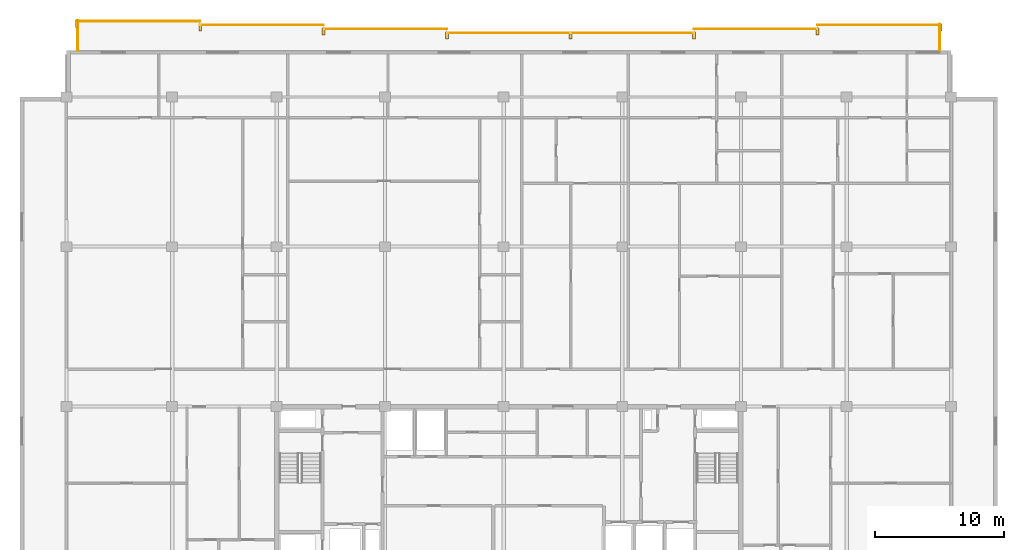
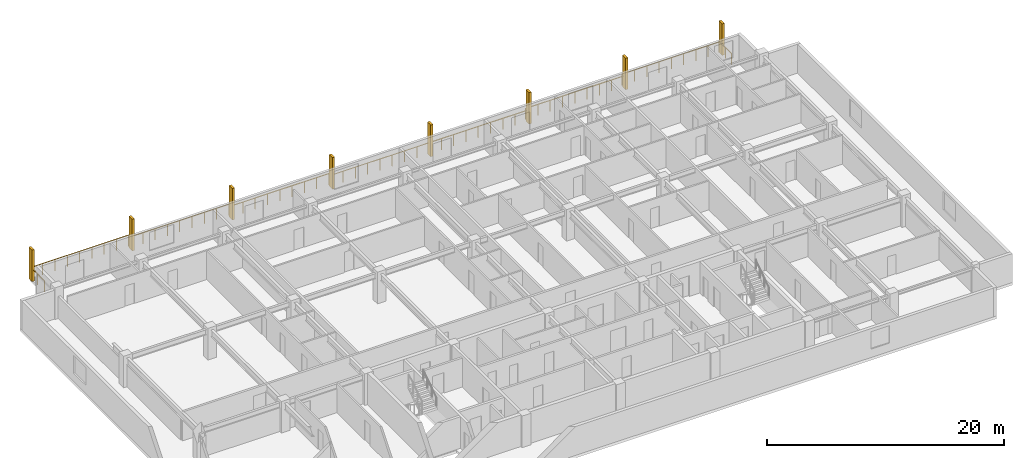
# One storey, part 21 of 21: 8 railings, 8 shading devices.
"""IFC4 building model written with IfcOpenShell, lengths in metres."""

from ifc_helpers import new_model, si_unit, direction, frame, origin, origin_2d, place, context, subcontext, project, spatial, rectangle, circle, extrude, material, type_object, element, save


model = new_model("IFC4")

# Units and contexts
model_context = context("Model", 3, precision=1e-05, world=origin(), true_north=direction((0.0, 1.0)))
body_context = subcontext(model_context, "Body", "Model", "MODEL_VIEW")
ifc_project = project(units=[si_unit("LENGTHUNIT", "METRE"), si_unit("AREAUNIT", "SQUARE_METRE"), si_unit("VOLUMEUNIT", "CUBIC_METRE"), si_unit("PLANEANGLEUNIT", "RADIAN"), si_unit("MASSUNIT", "GRAM", prefix="KILO")], contexts=[model_context])

# Site, building, storey
site_placement = place(None, origin())
site = spatial("IfcSite", under=ifc_project, at=site_placement, CompositionType="ELEMENT")
building_placement = place(site_placement, origin())
building = spatial("IfcBuilding", under=site, at=building_placement, Name="Korimba Cascade Residences", CompositionType="ELEMENT")
storey_placement = place(building_placement, frame((0.0, 0.0, 184.85009765625)))
storey = spatial("IfcBuildingStorey", under=building, at=storey_placement, Name="L53", CompositionType="ELEMENT", Elevation=184.85009765625)

# Railings
ifc_material_1 = material(Name="Laminated Glass and Bronze Balustrade", Category="glass")
railing_type = type_object("IfcRailingType", Name="RLG-LOG-1150", PredefinedType="BALUSTRADE", material=ifc_material_1)
railing_1_placement = place(storey_placement, frame((127.52001953125, 94.800048828125, 0.0)))
element("IfcRailing", 1, at=railing_1_placement, inside=storey, type_object=railing_type, Name="L53 Perimeter Guardrail RLG-L53-T1-LOG-01", PredefinedType="BALUSTRADE", context=body_context, shape_type="SweptSolid", body=[
    extrude(circle(Radius=0.02392578125, at=origin_2d()), frame((0.0, 0.0, 1.1259765625), z_axis=(0.0, 1.0, 0.0), x_axis=(-1.0, 0.0, 0.0)), (0.0, 0.0, 1.0), 2.050048828125),
    extrude(circle(Radius=0.02099609375, at=origin_2d()), origin(), (0.0, 0.0, 1.0), 1.101806640625),
    extrude(circle(Radius=0.02099609375, at=origin_2d()), frame((0.0, 1.02490234375, 0.0)), (0.0, 0.0, 1.0), 1.101806640625),
    extrude(circle(Radius=0.02099609375, at=origin_2d()), frame((0.0, 2.050048828125, 0.0)), (0.0, 0.0, 1.0), 1.101806640625),
])
for number, where, name in (
    (2, (127.60009765625, 96.77001953125, 0.0), "L53 Perimeter Guardrail RLG-L53-T1-LOG-02"),
    (3, (118.028564453125, 96.469970703125, 0.0), "L53 Perimeter Guardrail RLG-L53-T1-LOG-03"),
):
    element("IfcRailing", number, at=place(storey_placement, frame(where)), inside=storey, type_object=railing_type, Name=name, PredefinedType="BALUSTRADE", context=body_context, shape_type="SweptSolid", body=[
        extrude(circle(Radius=0.02392578125, at=origin_2d()), frame((0.0, 0.0, 1.1259765625), z_axis=(-1.0, 0.0, 0.0), x_axis=(0.0, -1.0, 0.0)), (0.0, 0.0, 1.0), 9.571533203125),
        extrude(circle(Radius=0.02099609375, at=origin_2d()), origin(), (0.0, 0.0, 1.0), 1.101806640625),
        extrude(circle(Radius=0.02099609375, at=origin_2d()), frame((-1.196533203125, 0.0, 0.0)), (0.0, 0.0, 1.0), 1.101806640625),
        extrude(circle(Radius=0.02099609375, at=origin_2d()), frame((-2.392822265625, 0.0, 0.0)), (0.0, 0.0, 1.0), 1.101806640625),
        extrude(circle(Radius=0.02099609375, at=origin_2d()), frame((-3.58935546875, 0.0, 0.0)), (0.0, 0.0, 1.0), 1.101806640625),
        extrude(circle(Radius=0.02099609375, at=origin_2d()), frame((-4.78564453125, 0.0, 0.0)), (0.0, 0.0, 1.0), 1.101806640625),
        extrude(circle(Radius=0.02099609375, at=origin_2d()), frame((-5.982177734375, 0.0, 0.0)), (0.0, 0.0, 1.0), 1.101806640625),
        extrude(circle(Radius=0.02099609375, at=origin_2d()), frame((-7.1787109375, 0.0, 0.0)), (0.0, 0.0, 1.0), 1.101806640625),
        extrude(circle(Radius=0.02099609375, at=origin_2d()), frame((-8.375, 0.0, 0.0)), (0.0, 0.0, 1.0), 1.101806640625),
        extrude(circle(Radius=0.02099609375, at=origin_2d()), frame((-9.571533203125, 0.0, 0.0)), (0.0, 0.0, 1.0), 1.101806640625),
    ])
railing_2_placement = place(storey_placement, frame((108.45703125, 96.169921875, 0.0)))
element("IfcRailing", 4, at=railing_2_placement, inside=storey, type_object=railing_type, Name="L53 Perimeter Guardrail RLG-L53-T1-LOG-04", PredefinedType="BALUSTRADE", context=body_context, shape_type="SweptSolid", body=[
    extrude(circle(Radius=0.02392578125, at=origin_2d()), frame((0.0, 0.0, 1.1259765625), z_axis=(-1.0, 0.0, 0.0), x_axis=(0.0, -1.0, 0.0)), (0.0, 0.0, 1.0), 19.142822265625),
    extrude(circle(Radius=0.02099609375, at=origin_2d()), origin(), (0.0, 0.0, 1.0), 1.101806640625),
    extrude(circle(Radius=0.02099609375, at=origin_2d()), frame((-1.196533203125, 0.0, 0.0)), (0.0, 0.0, 1.0), 1.101806640625),
    extrude(circle(Radius=0.02099609375, at=origin_2d()), frame((-2.392822265625, 0.0, 0.0)), (0.0, 0.0, 1.0), 1.101806640625),
    extrude(circle(Radius=0.02099609375, at=origin_2d()), frame((-3.58935546875, 0.0, 0.0)), (0.0, 0.0, 1.0), 1.101806640625),
    extrude(circle(Radius=0.02099609375, at=origin_2d()), frame((-4.78564453125, 0.0, 0.0)), (0.0, 0.0, 1.0), 1.101806640625),
    extrude(circle(Radius=0.02099609375, at=origin_2d()), frame((-5.982177734375, 0.0, 0.0)), (0.0, 0.0, 1.0), 1.101806640625),
    extrude(circle(Radius=0.02099609375, at=origin_2d()), frame((-7.178466796875, 0.0, 0.0)), (0.0, 0.0, 1.0), 1.101806640625),
    extrude(circle(Radius=0.02099609375, at=origin_2d()), frame((-8.375, 0.0, 0.0)), (0.0, 0.0, 1.0), 1.101806640625),
    extrude(circle(Radius=0.02099609375, at=origin_2d()), frame((-9.5712890625, 0.0, 0.0)), (0.0, 0.0, 1.0), 1.101806640625),
    extrude(circle(Radius=0.02099609375, at=origin_2d()), frame((-10.767822265625, 0.0, 0.0)), (0.0, 0.0, 1.0), 1.101806640625),
    extrude(circle(Radius=0.02099609375, at=origin_2d()), frame((-11.96435546875, 0.0, 0.0)), (0.0, 0.0, 1.0), 1.101806640625),
    extrude(circle(Radius=0.02099609375, at=origin_2d()), frame((-13.16064453125, 0.0, 0.0)), (0.0, 0.0, 1.0), 1.101806640625),
    extrude(circle(Radius=0.02099609375, at=origin_2d()), frame((-14.357177734375, 0.0, 0.0)), (0.0, 0.0, 1.0), 1.101806640625),
    extrude(circle(Radius=0.02099609375, at=origin_2d()), frame((-15.553466796875, 0.0, 0.0)), (0.0, 0.0, 1.0), 1.101806640625),
    extrude(circle(Radius=0.02099609375, at=origin_2d()), frame((-16.75, 0.0, 0.0)), (0.0, 0.0, 1.0), 1.101806640625),
    extrude(circle(Radius=0.02099609375, at=origin_2d()), frame((-17.9462890625, 0.0, 0.0)), (0.0, 0.0, 1.0), 1.101806640625),
    extrude(circle(Radius=0.02099609375, at=origin_2d()), frame((-19.142822265625, 0.0, 0.0)), (0.0, 0.0, 1.0), 1.101806640625),
])
railing_3_placement = place(storey_placement, frame((89.314208984375, 96.469970703125, 0.0)))
element("IfcRailing", 5, at=railing_3_placement, inside=storey, type_object=railing_type, Name="L53 Perimeter Guardrail RLG-L53-T1-LOG-05", PredefinedType="BALUSTRADE", context=body_context, shape_type="SweptSolid", body=[
    extrude(circle(Radius=0.02392578125, at=origin_2d()), frame((0.0, 0.0, 1.1259765625), z_axis=(-1.0, 0.0, 0.0), x_axis=(0.0, -1.0, 0.0)), (0.0, 0.0, 1.0), 9.5712890625),
    extrude(circle(Radius=0.02099609375, at=origin_2d()), origin(), (0.0, 0.0, 1.0), 1.101806640625),
    extrude(circle(Radius=0.02099609375, at=origin_2d()), frame((-1.1962890625, 0.0, 0.0)), (0.0, 0.0, 1.0), 1.101806640625),
    extrude(circle(Radius=0.02099609375, at=origin_2d()), frame((-2.392822265625, 0.0, 0.0)), (0.0, 0.0, 1.0), 1.101806640625),
    extrude(circle(Radius=0.02099609375, at=origin_2d()), frame((-3.58935546875, 0.0, 0.0)), (0.0, 0.0, 1.0), 1.101806640625),
    extrude(circle(Radius=0.02099609375, at=origin_2d()), frame((-4.78564453125, 0.0, 0.0)), (0.0, 0.0, 1.0), 1.101806640625),
    extrude(circle(Radius=0.02099609375, at=origin_2d()), frame((-5.98193359375, 0.0, 0.0)), (0.0, 0.0, 1.0), 1.101806640625),
    extrude(circle(Radius=0.02099609375, at=origin_2d()), frame((-7.178466796875, 0.0, 0.0)), (0.0, 0.0, 1.0), 1.101806640625),
    extrude(circle(Radius=0.02099609375, at=origin_2d()), frame((-8.375, 0.0, 0.0)), (0.0, 0.0, 1.0), 1.101806640625),
    extrude(circle(Radius=0.02099609375, at=origin_2d()), frame((-9.5712890625, 0.0, 0.0)), (0.0, 0.0, 1.0), 1.101806640625),
])
railing_4_placement = place(storey_placement, frame((79.742919921875, 96.77001953125, 0.0)))
element("IfcRailing", 6, at=railing_4_placement, inside=storey, type_object=railing_type, Name="L53 Perimeter Guardrail RLG-L53-T1-LOG-06", PredefinedType="BALUSTRADE", context=body_context, shape_type="SweptSolid", body=[
    extrude(circle(Radius=0.02392578125, at=origin_2d()), frame((0.0, 0.0, 1.1259765625), z_axis=(-1.0, 0.0, 0.0), x_axis=(0.0, -1.0, 0.0)), (0.0, 0.0, 1.0), 9.571533203125),
    extrude(circle(Radius=0.02099609375, at=origin_2d()), origin(), (0.0, 0.0, 1.0), 1.101806640625),
    extrude(circle(Radius=0.02099609375, at=origin_2d()), frame((-1.196533203125, 0.0, 0.0)), (0.0, 0.0, 1.0), 1.101806640625),
    extrude(circle(Radius=0.02099609375, at=origin_2d()), frame((-2.392822265625, 0.0, 0.0)), (0.0, 0.0, 1.0), 1.101806640625),
    extrude(circle(Radius=0.02099609375, at=origin_2d()), frame((-3.58935546875, 0.0, 0.0)), (0.0, 0.0, 1.0), 1.101806640625),
    extrude(circle(Radius=0.02099609375, at=origin_2d()), frame((-4.78564453125, 0.0, 0.0)), (0.0, 0.0, 1.0), 1.101806640625),
    extrude(circle(Radius=0.02099609375, at=origin_2d()), frame((-5.982177734375, 0.0, 0.0)), (0.0, 0.0, 1.0), 1.101806640625),
    extrude(circle(Radius=0.02099609375, at=origin_2d()), frame((-7.1787109375, 0.0, 0.0)), (0.0, 0.0, 1.0), 1.101806640625),
    extrude(circle(Radius=0.02099609375, at=origin_2d()), frame((-8.375, 0.0, 0.0)), (0.0, 0.0, 1.0), 1.101806640625),
    extrude(circle(Radius=0.02099609375, at=origin_2d()), frame((-9.571533203125, 0.0, 0.0)), (0.0, 0.0, 1.0), 1.101806640625),
])
railing_5_placement = place(storey_placement, frame((70.17138671875, 97.070068359375, 0.0)))
element("IfcRailing", 7, at=railing_5_placement, inside=storey, type_object=railing_type, Name="L53 Perimeter Guardrail RLG-L53-T1-LOG-07", PredefinedType="BALUSTRADE", context=body_context, shape_type="SweptSolid", body=[
    extrude(circle(Radius=0.02392578125, at=origin_2d()), frame((0.0, 0.0, 1.1259765625), z_axis=(-1.0, 0.0, 0.0), x_axis=(0.0, -1.0, 0.0)), (0.0, 0.0, 1.0), 9.5712890625),
    extrude(circle(Radius=0.02099609375, at=origin_2d()), origin(), (0.0, 0.0, 1.0), 1.101806640625),
    extrude(circle(Radius=0.02099609375, at=origin_2d()), frame((-1.1962890625, 0.0, 0.0)), (0.0, 0.0, 1.0), 1.101806640625),
    extrude(circle(Radius=0.02099609375, at=origin_2d()), frame((-2.392822265625, 0.0, 0.0)), (0.0, 0.0, 1.0), 1.101806640625),
    extrude(circle(Radius=0.02099609375, at=origin_2d()), frame((-3.58935546875, 0.0, 0.0)), (0.0, 0.0, 1.0), 1.101806640625),
    extrude(circle(Radius=0.02099609375, at=origin_2d()), frame((-4.78564453125, 0.0, 0.0)), (0.0, 0.0, 1.0), 1.101806640625),
    extrude(circle(Radius=0.02099609375, at=origin_2d()), frame((-5.98193359375, 0.0, 0.0)), (0.0, 0.0, 1.0), 1.101806640625),
    extrude(circle(Radius=0.02099609375, at=origin_2d()), frame((-7.178466796875, 0.0, 0.0)), (0.0, 0.0, 1.0), 1.101806640625),
    extrude(circle(Radius=0.02099609375, at=origin_2d()), frame((-8.375, 0.0, 0.0)), (0.0, 0.0, 1.0), 1.101806640625),
    extrude(circle(Radius=0.02099609375, at=origin_2d()), frame((-9.5712890625, 0.0, 0.0)), (0.0, 0.0, 1.0), 1.101806640625),
])
railing_6_placement = place(storey_placement, frame((60.679931640625, 97.14990234375, 0.0)))
element("IfcRailing", 8, at=railing_6_placement, inside=storey, type_object=railing_type, Name="L53 Perimeter Guardrail RLG-L53-T1-LOG-08", PredefinedType="BALUSTRADE", context=body_context, shape_type="SweptSolid", body=[
    extrude(circle(Radius=0.02392578125, at=origin_2d()), frame((0.0, 0.0, 1.1259765625), z_axis=(0.0, -1.0, 0.0), x_axis=(1.0, 0.0, 0.0)), (0.0, 0.0, 1.0), 2.349853515625),
    extrude(circle(Radius=0.02099609375, at=origin_2d()), origin(), (0.0, 0.0, 1.0), 1.101806640625),
    extrude(circle(Radius=0.02099609375, at=origin_2d()), frame((0.0, -1.1748046875, 0.0)), (0.0, 0.0, 1.0), 1.101806640625),
    extrude(circle(Radius=0.02099609375, at=origin_2d()), frame((0.0, -2.349853515625, 0.0)), (0.0, 0.0, 1.0), 1.101806640625),
])

# Shading devices
ifc_material_2 = material(Name="Honed Sandstone Precast Fin", Category="masonry")
shading_device_type = type_object("IfcShadingDeviceType", Name="SHD-FIN-550", PredefinedType="USERDEFINED", material=ifc_material_2)
for number, where, z_axis, x_axis, name in (
    (9, (60.60009765625, 96.875, 0.0), (0.0, 0.0, 1.0), (1.0, 0.0, 0.0), "L53 T1 Warm-Stone Loggia Fin 1"),
    (10, (70.17138671875, 96.574951171875, 0.0), (0.0, 0.0, 1.0), (1.0, 0.0, 0.0), "L53 T1 Warm-Stone Loggia Fin 2"),
    (11, (79.742919921875, 96.27490234375, 0.0), (0.0, 0.0, 1.0), (1.0, 0.0, 0.0), "L53 T1 Warm-Stone Loggia Fin 3"),
    (12, (89.314208984375, 95.97509765625, 0.0), (0.0, 0.0, 1.0), (1.0, 0.0, 0.0), "L53 T1 Warm-Stone Loggia Fin 4"),
    (13, (98.8857421875, 95.97509765625, 0.0), (0.0, 0.0, 1.0), (1.0, 0.0, 0.0), "L53 T1 Warm-Stone Loggia Fin 5"),
    (14, (108.45703125, 95.97509765625, 0.0), (0.0, 0.0, 1.0), (1.0, 0.0, 0.0), "L53 T1 Warm-Stone Loggia Fin 6"),
    (15, (118.028564453125, 96.27490234375, 0.0), (0.0, 0.0, 1.0), (1.0, 0.0, 0.0), "L53 T1 Warm-Stone Loggia Fin 7"),
    (16, (127.60009765625, 96.574951171875, 0.0), (0.0, 0.0, 1.0), (1.0, 0.0, 0.0), "L53 T1 Warm-Stone Loggia Fin 8"),
):
    element("IfcShadingDevice", number, at=place(storey_placement, frame(where, z_axis=z_axis, x_axis=x_axis)), inside=storey, type_object=shading_device_type, Name=name, ObjectType="FIN", PredefinedType="USERDEFINED", context=body_context, shape_type="SweptSolid", body=[
        extrude(rectangle(XDim=0.219970703125, YDim=0.550048828125, at=origin_2d()), origin(), (0.0, 0.0, 1.0), 3.25),
    ])

save(model, "model.ifc")
